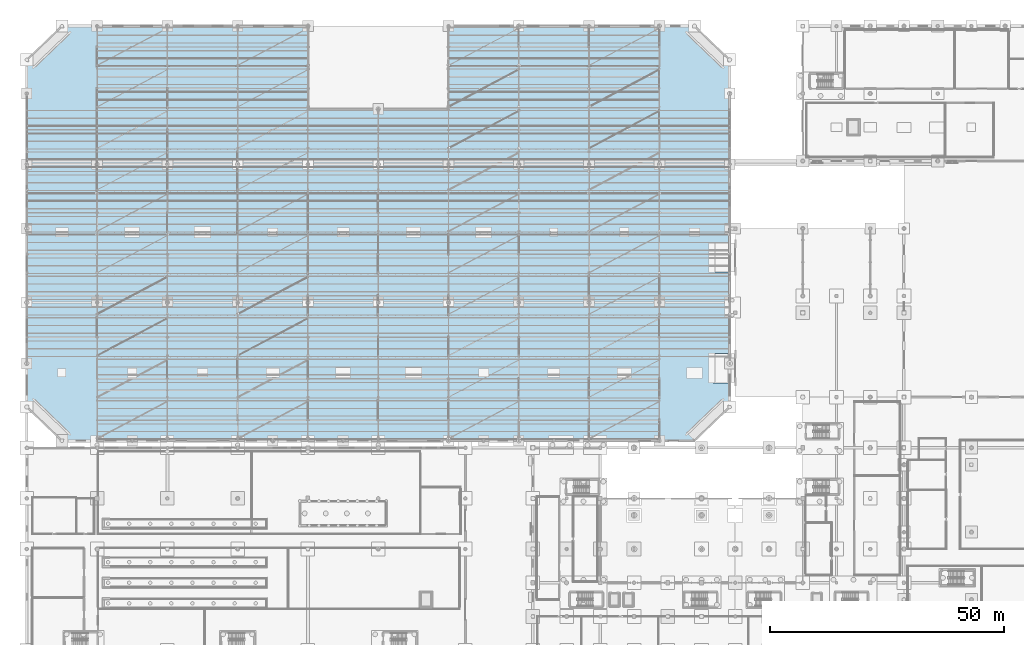
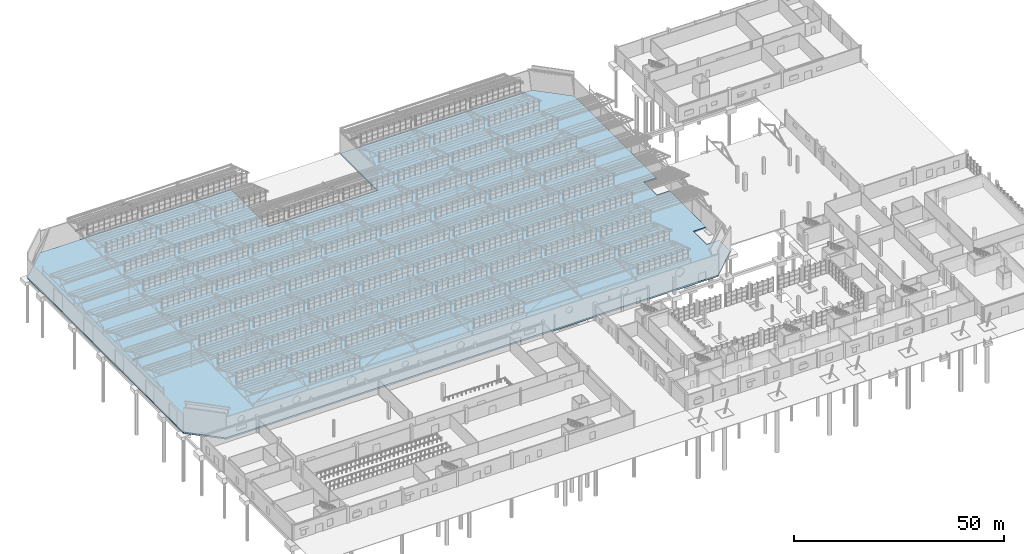
# One storey, part 176 of 285: 1 slab.
"""IFC4 building model written with IfcOpenShell, lengths in metres."""

from ifc_helpers import new_model, si_unit, direction, frame, origin, place, context, subcontext, project, spatial, polyline, outline, extrude, material, layer, layer_set, type_object, element, save


model = new_model("IFC4")

# Units and contexts
model_context = context("Model", 3, precision=1e-05, world=origin(), true_north=direction((0.0, 1.0)))
body_context = subcontext(model_context, "Body", "Model", "MODEL_VIEW")
ifc_project = project(units=[si_unit("LENGTHUNIT", "METRE"), si_unit("AREAUNIT", "SQUARE_METRE"), si_unit("VOLUMEUNIT", "CUBIC_METRE"), si_unit("PLANEANGLEUNIT", "RADIAN"), si_unit("MASSUNIT", "GRAM", prefix="KILO")], contexts=[model_context])

# Site, building, storey
site_placement = place(None, origin())
site = spatial("IfcSite", under=ifc_project, at=site_placement, CompositionType="ELEMENT")
building_placement = place(site_placement, origin())
building = spatial("IfcBuilding", under=site, at=building_placement, Name="Solanera Park Tramway Depot", CompositionType="ELEMENT")
storey_placement = place(building_placement, origin())
storey = spatial("IfcBuildingStorey", under=building, at=storey_placement, Name="L00", CompositionType="ELEMENT", Elevation=0.0)

# Slab
ifc_material = material(Name="Concrete N40 (C40/50)", Category="concrete")
ifc_layer = layer(ifc_material, 0.449951171875)
ifc_layer_set = layer_set([ifc_layer], Name="Concrete N40 (C40/50)")
slab_type = type_object("IfcSlabType", Name="Slab Base 450", PredefinedType="BASESLAB", material=ifc_layer_set)
slab_placement = place(storey_placement, frame((0.0, 0.0, -0.449951171875)))
element("IfcSlab", 1, at=slab_placement, inside=storey, type_object=slab_type, Name="L00 Structural Slab SL-L00-V1", PredefinedType="BASESLAB", context=body_context, shape_type="SweptSolid", body=[
    extrude(outline(polyline([(142.5, 55.5), (7.5, 55.5), (0.0, 62.699951171875), (0.0, 136.800048828125), (7.5, 144.0), (60.0, 144.0), (60.0, 126.300048828125), (90.0, 126.300048828125), (90.0, 144.0), (142.5, 144.0), (150.0, 136.800048828125), (150.0, 97.719970703125), (146.47998046875, 97.719970703125), (146.47998046875, 91.47998046875), (150.0, 91.47998046875), (150.0, 74.1201171875), (146.47998046875, 74.1201171875), (146.47998046875, 67.8798828125), (150.0, 67.8798828125), (150.0, 62.699951171875), (142.5, 55.5)])), origin(), (0.0, 0.0, 1.0), 0.449951171875),
])

save(model, "model.ifc")
